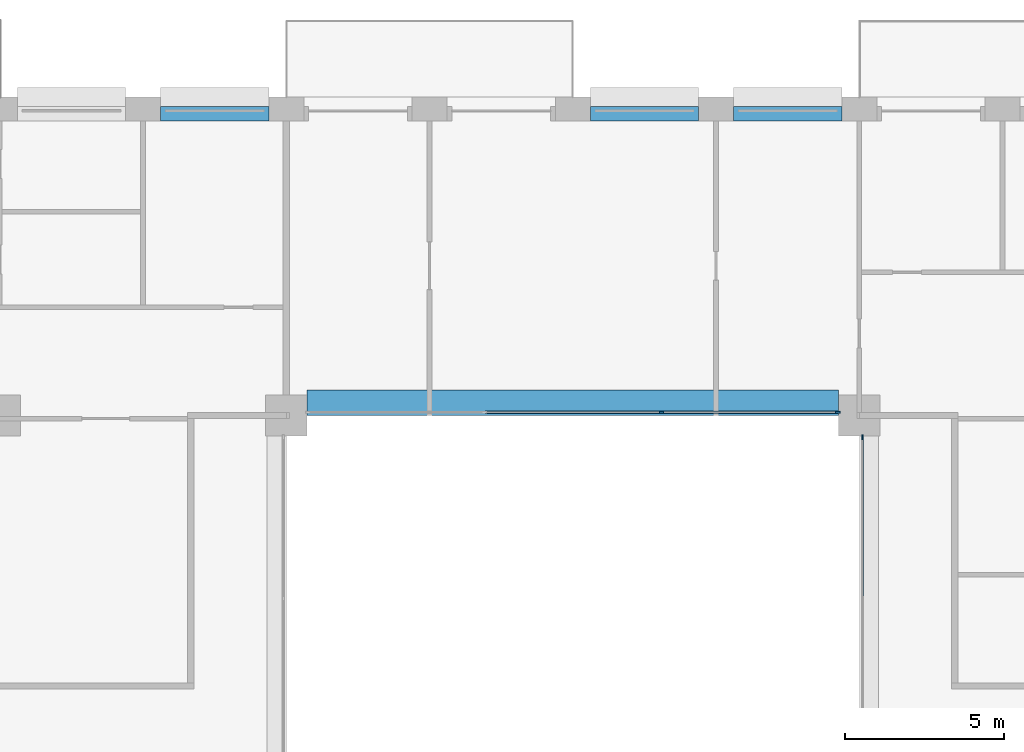
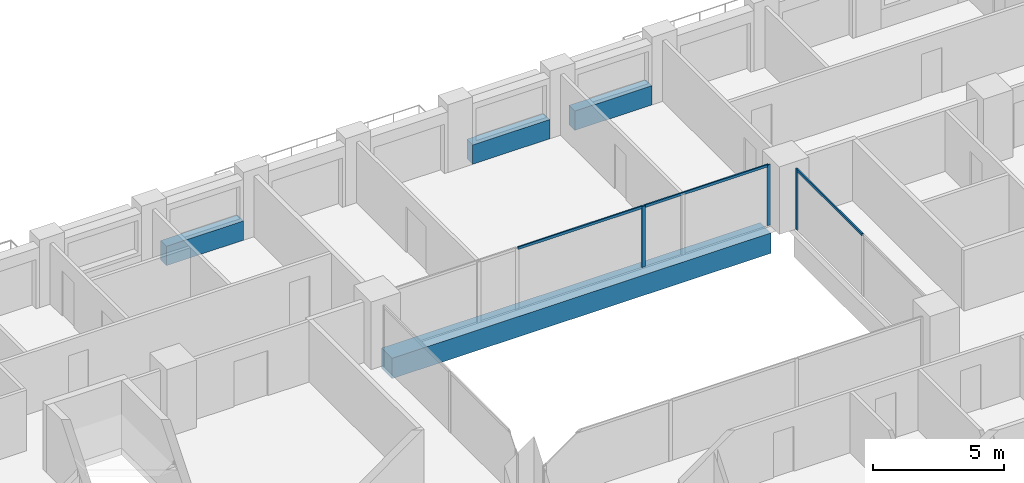
# One storey, part 6 of 17: 6 members, 4 beams, 2 elements without a shape of their own.
"""IFC4 building model written with IfcOpenShell, lengths in metres."""

from ifc_helpers import new_model, si_unit, direction, frame, origin, origin_2d, place, context, subcontext, project, spatial, rectangle, extrude, material, layer, layer_set, material_profile, profile_set, type_object, element, aggregate, save


model = new_model("IFC4")

# Units and contexts
model_context = context("Model", 3, precision=1e-05, world=origin(), true_north=direction((0.0, 1.0)))
body_context = subcontext(model_context, "Body", "Model", "MODEL_VIEW")
ifc_project = project(units=[si_unit("LENGTHUNIT", "METRE"), si_unit("AREAUNIT", "SQUARE_METRE"), si_unit("VOLUMEUNIT", "CUBIC_METRE"), si_unit("PLANEANGLEUNIT", "RADIAN"), si_unit("MASSUNIT", "GRAM", prefix="KILO")], contexts=[model_context])

# Site, building, storey
site_placement = place(None, origin())
site = spatial("IfcSite", under=ifc_project, at=site_placement, CompositionType="ELEMENT")
building_placement = place(site_placement, origin())
building = spatial("IfcBuilding", under=site, at=building_placement, Name="Brigalow Station Residences", CompositionType="ELEMENT")
storey_placement = place(building_placement, frame((0.0, 0.0, 96.14990234375)))
storey = spatial("IfcBuildingStorey", under=building, at=storey_placement, Name="L27", CompositionType="ELEMENT", Elevation=96.14990234375)

# Beam
ifc_material_1 = material(Name="Concrete C65", Category="concrete")
ifc_material_profile_1 = material_profile(ifc_material_1, rectangle(XDim=0.800048828125, YDim=0.949951171875, at=origin_2d()), Name="RC800x950")
ifc_profile_set_1 = profile_set([ifc_material_profile_1], Name="Concrete C65")
beam_type_1 = type_object("IfcBeamType", Name="ATRIUM EDGE GIRDER OVER 13.5 M SPAN 800x950 C65", PredefinedType="BEAM", material=ifc_profile_set_1)
beam_placement = place(storey_placement, frame((27.64990234375, 35.89990234375, -0.794921875), z_axis=(1.0, 0.0, 0.0), x_axis=(0.0, 1.0, 0.0)))
element("IfcBeam", 1, at=beam_placement, inside=storey, type_object=beam_type_1, Name="ATRIUM EDGE GIRDER D L27", PredefinedType="BEAM", context=body_context, shape_type="SweptSolid", body=[
    extrude(rectangle(XDim=0.800048828125, YDim=0.949951171875, at=origin_2d()), origin(), (0.0, 0.0, 1.0), 16.7001953125),
])

# Curtain wall, member
ifc_material_2 = material(Name="Aluminium", Category="aluminium")
ifc_layer = layer(ifc_material_2, 0.14990234375)
ifc_layer_set = layer_set([ifc_layer], Name="ATRIUM FIRE-RATED GLAZING CURTAIN WALL")
curtain_wall_type = type_object("IfcCurtainWallType", Name="ATRIUM FIRE-RATED GLAZING CURTAIN WALL", PredefinedType="NOTDEFINED", material=ifc_layer_set)
curtain_wall_1_placement = place(storey_placement, origin())
curtain_wall_1 = element("IfcCurtainWall", 2, at=curtain_wall_1_placement, inside=storey, type_object=curtain_wall_type, Name="L27/cw/atrium-E", PredefinedType="NOTDEFINED")
ifc_material_3 = material(Name="Aluminium", Category="aluminium")
ifc_material_profile_2 = material_profile(ifc_material_3, rectangle(XDim=0.06005859375, YDim=0.14990234375, at=origin_2d()), Name="ATRIUM FIRE-RATED GLAZING MULLION 60x150")
ifc_profile_set_2 = profile_set([ifc_material_profile_2], Name="Aluminium")
member_type_1 = type_object("IfcMemberType", Name="ATRIUM FIRE-RATED GLAZING MULLION 60x150", PredefinedType="MULLION", material=ifc_profile_set_2)
member_1_placement = place(storey_placement, frame((45.10009765625, 34.820068359375, 0.0), z_axis=(0.0, 0.0, 1.0), x_axis=(-1.0, 0.0, 0.0)))
member_1 = element("IfcMember", 3, at=member_1_placement, type_object=member_type_1, Name="L27/cw/atrium-E/M02", PredefinedType="MULLION", context=body_context, shape_type="SweptSolid", body=[
    extrude(rectangle(XDim=0.06005859375, YDim=0.14990234375, at=origin_2d()), origin(), (0.0, 0.0, 1.0), 2.830078125),
])

# Curtain wall, members
curtain_wall_2_placement = place(storey_placement, origin())
curtain_wall_2 = element("IfcCurtainWall", 4, at=curtain_wall_2_placement, inside=storey, type_object=curtain_wall_type, Name="L27/cw/atrium-N", PredefinedType="NOTDEFINED")
member_2_placement = place(storey_placement, frame((44.320068359375, 35.60009765625, 0.0), z_axis=(0.0, 0.0, 1.0), x_axis=(0.0, -1.0, 0.0)))
member_2 = element("IfcMember", 5, at=member_2_placement, type_object=member_type_1, Name="L27/cw/atrium-N/M00", PredefinedType="MULLION", context=body_context, shape_type="SweptSolid", body=[
    extrude(rectangle(XDim=0.06005859375, YDim=0.14990234375, at=origin_2d()), origin(), (0.0, 0.0, 1.0), 2.830078125),
])
member_3_placement = place(storey_placement, frame((38.783203125, 35.60009765625, 0.0), z_axis=(0.0, 0.0, 1.0), x_axis=(0.0, -1.0, 0.0)))
member_3 = element("IfcMember", 6, at=member_3_placement, type_object=member_type_1, Name="L27/cw/atrium-N/M01", PredefinedType="MULLION", context=body_context, shape_type="SweptSolid", body=[
    extrude(rectangle(XDim=0.06005859375, YDim=0.14990234375, at=origin_2d()), origin(), (0.0, 0.0, 1.0), 2.830078125),
])

# Member
ifc_material_4 = material(Name="Aluminium", Category="aluminium")
ifc_material_profile_3 = material_profile(ifc_material_4, rectangle(XDim=0.06005859375, YDim=0.1201171875, at=origin_2d()), Name="ATRIUM FIRE-RATED GLAZING TRANSOM 60x120")
ifc_profile_set_3 = profile_set([ifc_material_profile_3], Name="Aluminium")
member_type_2 = type_object("IfcMemberType", Name="ATRIUM FIRE-RATED GLAZING TRANSOM 60x120", PredefinedType="USERDEFINED", material=ifc_profile_set_3)
member_4_placement = place(storey_placement, frame((45.10009765625, 29.780029296875, 2.800048828125), z_axis=(0.0, 1.0, 0.0), x_axis=(-1.0, 0.0, 0.0)))
member_4 = element("IfcMember", 7, at=member_4_placement, type_object=member_type_2, Name="L27/cw/atrium-E/T01-00", ObjectType="TRANSOM", PredefinedType="USERDEFINED", context=body_context, shape_type="SweptSolid", body=[
    extrude(rectangle(XDim=0.06005859375, YDim=0.1201171875, at=origin_2d()), origin(), (0.0, 0.0, 1.0), 5.010009765625),
])

aggregate(curtain_wall_1, [member_1, member_4])

member_5_placement = place(storey_placement, frame((44.2900390625, 35.60009765625, 2.800048828125), z_axis=(-1.0, 0.0, 0.0), x_axis=(0.0, -1.0, 0.0)))
member_5 = element("IfcMember", 8, at=member_5_placement, type_object=member_type_2, Name="L27/cw/atrium-N/T00-00", ObjectType="TRANSOM", PredefinedType="USERDEFINED", context=body_context, shape_type="SweptSolid", body=[
    extrude(rectangle(XDim=0.06005859375, YDim=0.1201171875, at=origin_2d()), origin(), (0.0, 0.0, 1.0), 5.476806640625),
])

member_6_placement = place(storey_placement, frame((38.75341796875, 35.60009765625, 2.800048828125), z_axis=(-1.0, 0.0, 0.0), x_axis=(0.0, -1.0, 0.0)))
member_6 = element("IfcMember", 9, at=member_6_placement, type_object=member_type_2, Name="L27/cw/atrium-N/T01-00", ObjectType="TRANSOM", PredefinedType="USERDEFINED", context=body_context, shape_type="SweptSolid", body=[
    extrude(rectangle(XDim=0.06005859375, YDim=0.1201171875, at=origin_2d()), origin(), (0.0, 0.0, 1.0), 5.5068359375),
])

aggregate(curtain_wall_2, [member_2, member_3, member_5, member_6])

# Beams
ifc_material_5 = material(Name="Concrete C65", Category="concrete")
ifc_material_profile_4 = material_profile(ifc_material_5, rectangle(XDim=0.449951171875, YDim=0.89990234375, at=origin_2d()), Name="RC450x900")
ifc_profile_set_4 = profile_set([ifc_material_profile_4], Name="Concrete C65")
beam_type_2 = type_object("IfcBeamType", Name="SPANDREL BEAM 450x900 C65", PredefinedType="SPANDREL", material=ifc_profile_set_4)
for number, where, z_axis, x_axis, name in (
    (10, (44.449951171875, 44.97509765625, 0.4501953125), (-1.0, 0.0, 0.0), (0.0, -1.0, 0.0), "L27/spandrel/W-L27-29"),
    (11, (39.949951171875, 44.97509765625, 0.4501953125), (-1.0, 0.0, 0.0), (0.0, -1.0, 0.0), "L27/spandrel/W-L27-30"),
    (12, (26.449951171875, 44.97509765625, 0.4501953125), (-1.0, 0.0, 0.0), (0.0, -1.0, 0.0), "L27/spandrel/W-L27-33"),
):
    element("IfcBeam", number, at=place(storey_placement, frame(where, z_axis=z_axis, x_axis=x_axis)), inside=storey, type_object=beam_type_2, Name=name, PredefinedType="SPANDREL", context=body_context, shape_type="SweptSolid", body=[
        extrude(rectangle(XDim=0.449951171875, YDim=0.89990234375, at=origin_2d()), origin(), (0.0, 0.0, 1.0), 3.39990234375),
    ])

save(model, "model.ifc")
